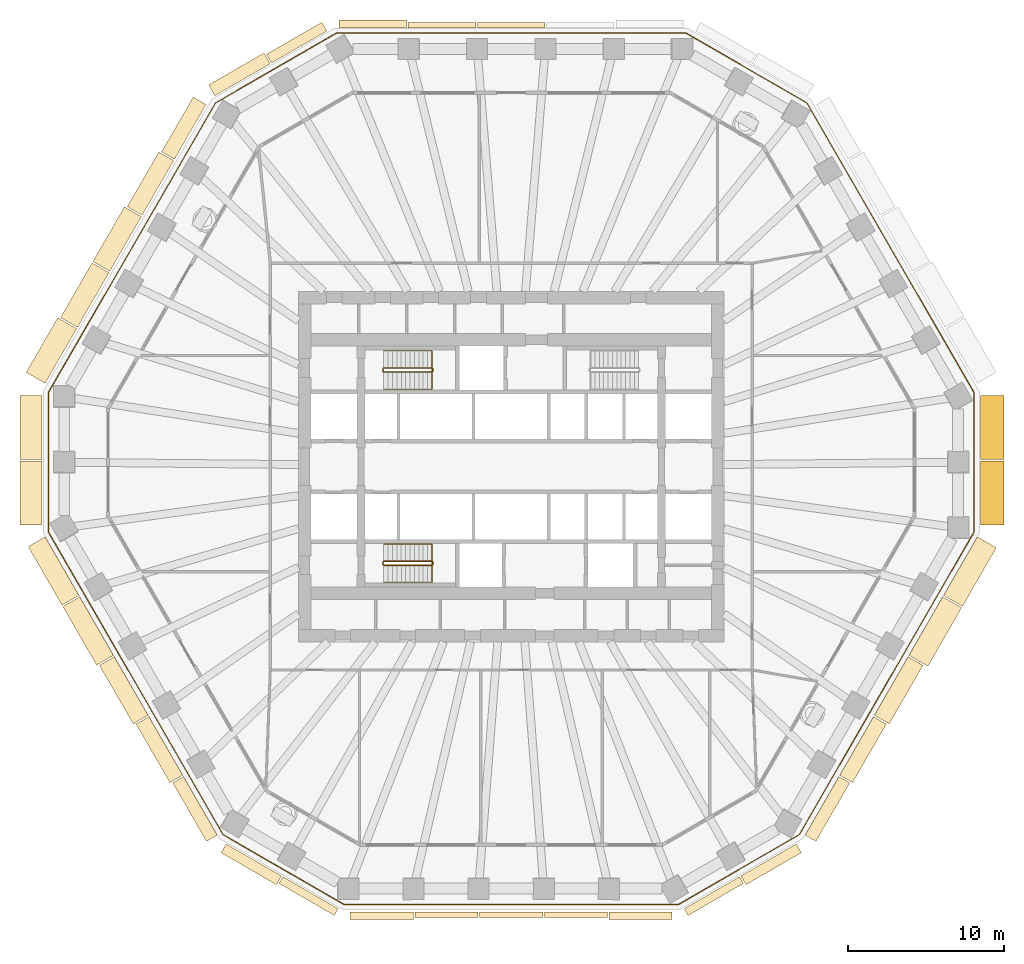
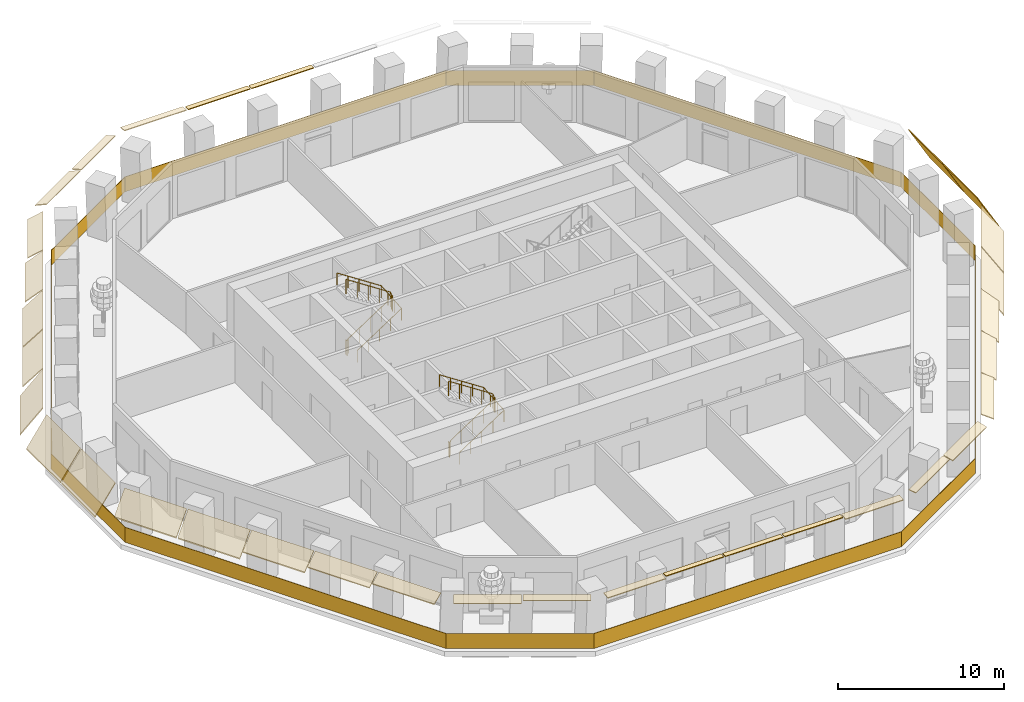
# One storey, part 9 of 12: 33 coverings, 5 railings.
"""IFC4 building model written with IfcOpenShell, lengths in metres."""

from ifc_helpers import new_model, si_unit, direction, frame, origin, origin_2d, place, context, subcontext, project, spatial, polyline, rectangle, circle, outline, extrude, material, layer, layer_set, type_object, element, save


model = new_model("IFC4")

# Units and contexts
model_context = context("Model", 3, precision=1e-05, world=origin(), true_north=direction((0.0, 1.0)))
body_context = subcontext(model_context, "Body", "Model", "MODEL_VIEW")
ifc_project = project(units=[si_unit("LENGTHUNIT", "METRE"), si_unit("AREAUNIT", "SQUARE_METRE"), si_unit("VOLUMEUNIT", "CUBIC_METRE"), si_unit("PLANEANGLEUNIT", "RADIAN"), si_unit("MASSUNIT", "GRAM", prefix="KILO")], contexts=[model_context])

# Site, building, storey
site_placement = place(None, origin())
site = spatial("IfcSite", under=ifc_project, at=site_placement, CompositionType="ELEMENT")
building_placement = place(site_placement, origin())
building = spatial("IfcBuilding", under=site, at=building_placement, Name="Frailejon Research Tower", CompositionType="ELEMENT")
storey_placement = place(building_placement, frame((0.0, 0.0, 89.60009765625)))
storey = spatial("IfcBuildingStorey", under=building, at=storey_placement, Name="L19", CompositionType="ELEMENT", Elevation=89.60009765625)

# Coverings
ifc_material_1 = material(Name="Precast concrete C50/60", Category="concrete")
ifc_layer_1 = layer(ifc_material_1, 0.06005859375)
ifc_layer_set_1 = layer_set([ifc_layer_1], Name="Brim blade depth 1100")
covering_type_1 = type_object("IfcCoveringType", Name="Brim blade depth 1100", PredefinedType="CLADDING", material=ifc_layer_set_1)
covering_1_placement = place(storey_placement, frame((-23.59228515625, 16.066650390625, 4.25), z_axis=(0.500005682111, 0.866022123192, 0.0), x_axis=(-0.866022123192, 0.500005682111, 0.0)))
element("IfcCovering", 1, at=covering_1_placement, inside=storey, type_object=covering_type_1, Name="Brim blade L19", PredefinedType="CLADDING", context=body_context, shape_type="SweptSolid", body=[
    extrude(outline(polyline([(0.0, -0.078369140625), (1.10009765625, -1.001220703125), (1.10009765625, -0.923095703125), (0.0, 0.0), (0.0, -0.078369140625)])), origin(), (0.0, 0.0, 1.0), 4.0361328125),
])
for number, where, z_axis, x_axis, name in (
    (2, (-23.211181640625, -15.897216796875, 4.25), (-0.499995103022, 0.866028231038, 0.0), (-0.866028231038, -0.499995103022, 0.0), "Brim blade L19"),
    (3, (25.372802734375, -12.15283203125, 4.25), (-0.499995103022, -0.866028231038, 0.0), (0.866028231038, -0.499995103022, 0.0), "Brim blade L19"),
):
    element("IfcCovering", number, at=place(storey_placement, frame(where, z_axis=z_axis, x_axis=x_axis)), inside=storey, type_object=covering_type_1, Name=name, PredefinedType="CLADDING", context=body_context, shape_type="SweptSolid", body=[
        extrude(outline(polyline([(0.0, -0.078369140625), (1.10009765625, -1.001220703125), (1.10009765625, -0.923095703125), (0.0, 0.0), (0.0, -0.078369140625)])), origin(), (0.0, 0.0, 1.0), 4.323486328125),
    ])
ifc_material_2 = material(Name="Precast concrete C50/60", Category="concrete")
ifc_layer_2 = layer(ifc_material_2, 0.06005859375)
ifc_layer_set_2 = layer_set([ifc_layer_2], Name="Brim blade depth 1250")
covering_type_2 = type_object("IfcCoveringType", Name="Brim blade depth 1250", PredefinedType="CLADDING", material=ifc_layer_set_2)
for number, where, z_axis, x_axis, name in (
    (4, (-25.660400390625, 12.484619140625, 4.25), (0.500005682111, 0.866022123192, 0.0), (-0.866022123192, 0.500005682111, 0.0), "Brim blade L19"),
    (5, (-27.728271484375, 8.902587890625, 4.25), (0.49998754911, 0.86603259219, 0.0), (-0.86603259219, 0.49998754911, 0.0), "Brim blade L19"),
):
    element("IfcCovering", number, at=place(storey_placement, frame(where, z_axis=z_axis, x_axis=x_axis)), inside=storey, type_object=covering_type_2, Name=name, PredefinedType="CLADDING", context=body_context, shape_type="SweptSolid", body=[
        extrude(outline(polyline([(0.0, -0.0888671875), (1.25, -1.452880859375), (1.25, -1.364013671875), (0.0, 0.0), (0.0, -0.0888671875)])), origin(), (0.0, 0.0, 1.0), 4.0361328125),
    ])
for number, where, z_axis, x_axis, name in (
    (6, (-27.634521484375, -8.2353515625, 4.25), (-0.50000489216, 0.866022579276, 0.0), (-0.866022579276, -0.50000489216, 0.0), "Brim blade L19"),
    (7, (-25.4228515625, -12.066162109375, 4.25), (-0.499987937108, 0.866032368187, 0.0), (-0.866032368187, -0.499987937108, 0.0), "Brim blade L19"),
):
    element("IfcCovering", number, at=place(storey_placement, frame(where, z_axis=z_axis, x_axis=x_axis)), inside=storey, type_object=covering_type_2, Name=name, PredefinedType="CLADDING", context=body_context, shape_type="SweptSolid", body=[
        extrude(outline(polyline([(0.0, -0.0888671875), (1.25, -1.452880859375), (1.25, -1.364013671875), (0.0, 0.0), (0.0, -0.0888671875)])), origin(), (0.0, 0.0, 1.0), 4.323486328125),
    ])
ifc_material_3 = material(Name="Precast concrete C50/60", Category="concrete")
ifc_layer_3 = layer(ifc_material_3, 0.06005859375)
ifc_layer_set_3 = layer_set([ifc_layer_3], Name="Brim blade depth 1400")
covering_type_3 = type_object("IfcCoveringType", Name="Brim blade depth 1400", PredefinedType="CLADDING", material=ifc_layer_set_3)
covering_2_placement = place(storey_placement, frame((-29.79638671875, 5.32080078125, 4.25), z_axis=(0.500005682111, 0.866022123192, 0.0), x_axis=(-0.866022123192, 0.500005682111, 0.0)))
element("IfcCovering", 8, at=covering_2_placement, inside=storey, type_object=covering_type_3, Name="Brim blade L19", PredefinedType="CLADDING", context=body_context, shape_type="SweptSolid", body=[
    extrude(outline(polyline([(0.0, -0.1044921875), (1.39990234375, -2.10400390625), (1.39990234375, -1.99951171875), (0.0, 0.0), (0.0, -0.1044921875)])), origin(), (0.0, 0.0, 1.0), 4.0361328125),
])
covering_3_placement = place(storey_placement, frame((-30.002197265625, 0.46484375, 4.25), z_axis=(0.0, 1.0, 0.0), x_axis=(-1.0, 0.0, 0.0)))
element("IfcCovering", 9, at=covering_3_placement, inside=storey, type_object=covering_type_3, Name="Brim blade L19", PredefinedType="CLADDING", context=body_context, shape_type="SweptSolid", body=[
    extrude(outline(polyline([(0.0, -0.1044921875), (1.39990234375, -2.10400390625), (1.39990234375, -1.99951171875), (0.0, 0.0), (0.0, -0.1044921875)])), origin(), (0.0, 0.0, 1.0), 4.087646484375),
])
covering_4_placement = place(storey_placement, frame((-30.002197265625, -3.72265625, 4.25), z_axis=(0.0, 1.0, 0.0), x_axis=(-1.0, 0.0, 0.0)))
element("IfcCovering", 10, at=covering_4_placement, inside=storey, type_object=covering_type_3, Name="Brim blade L19", PredefinedType="CLADDING", context=body_context, shape_type="SweptSolid", body=[
    extrude(outline(polyline([(0.0, -0.1044921875), (1.39990234375, -2.10400390625), (1.39990234375, -1.99951171875), (0.0, 0.0), (0.0, -0.1044921875)])), origin(), (0.0, 0.0, 1.0), 4.08740234375),
])
for number, where, z_axis, x_axis, name in (
    (11, (27.584716796875, -8.322021484375, 4.25), (-0.499987937108, -0.866032368187, 0.0), (0.866032368187, -0.499987937108, 0.0), "Brim blade L19"),
    (12, (29.79638671875, -4.490966796875, 4.25), (-0.50000489216, -0.866022579276, 0.0), (0.866022579276, -0.50000489216, 0.0), "Brim blade L19"),
):
    element("IfcCovering", number, at=place(storey_placement, frame(where, z_axis=z_axis, x_axis=x_axis)), inside=storey, type_object=covering_type_3, Name=name, PredefinedType="CLADDING", context=body_context, shape_type="SweptSolid", body=[
        extrude(outline(polyline([(0.0, -0.1044921875), (1.39990234375, -2.10400390625), (1.39990234375, -1.99951171875), (0.0, 0.0), (0.0, -0.1044921875)])), origin(), (0.0, 0.0, 1.0), 4.323486328125),
    ])
ifc_material_4 = material(Name="Precast concrete C50/60", Category="concrete")
ifc_layer_4 = layer(ifc_material_4, 0.06005859375)
ifc_layer_set_4 = layer_set([ifc_layer_4], Name="Brim blade depth 1500")
covering_type_4 = type_object("IfcCoveringType", Name="Brim blade depth 1500", PredefinedType="CLADDING", material=ifc_layer_set_4)
covering_5_placement = place(storey_placement, frame((30.002197265625, 0.36474609375, 4.25), z_axis=(0.0, -1.0, 0.0), x_axis=(1.0, 0.0, 0.0)))
element("IfcCovering", 13, at=covering_5_placement, inside=storey, type_object=covering_type_4, Name="Brim blade L19", PredefinedType="CLADDING", context=body_context, shape_type="SweptSolid", body=[
    extrude(outline(polyline([(0.0, -0.1201171875), (1.5, -2.718017578125), (1.5, -2.59814453125), (0.0, 0.0), (0.0, -0.1201171875)])), origin(), (0.0, 0.0, 1.0), 4.08740234375),
])
covering_6_placement = place(storey_placement, frame((30.002197265625, 4.552490234375, 4.25), z_axis=(0.0, -1.0, 0.0), x_axis=(1.0, 0.0, 0.0)))
element("IfcCovering", 14, at=covering_6_placement, inside=storey, type_object=covering_type_4, Name="Brim blade L19", PredefinedType="CLADDING", context=body_context, shape_type="SweptSolid", body=[
    extrude(outline(polyline([(0.0, -0.1201171875), (1.5, -2.718017578125), (1.5, -2.59814453125), (0.0, 0.0), (0.0, -0.1201171875)])), origin(), (0.0, 0.0, 1.0), 4.087646484375),
])
ifc_material_5 = material(Name="Precast concrete C50/60", Category="concrete")
ifc_layer_5 = layer(ifc_material_5, 0.06005859375)
ifc_layer_set_5 = layer_set([ifc_layer_5], Name="Brim blade depth 350")
covering_type_5 = type_object("IfcCoveringType", Name="Brim blade depth 350", PredefinedType="CLADDING", material=ifc_layer_set_5)
for number, where, z_axis, x_axis, name in (
    (15, (-2.161865234375, 28.050048828125, 4.25), (1.0, 0.0, 0.0), (0.0, 1.0, 0.0), "Brim blade L19"),
    (16, (-6.585205078125, 28.050048828125, 4.25), (1.0, 0.0, 0.0), (0.0, 1.0, 0.0), "Brim blade L19"),
):
    element("IfcCovering", number, at=place(storey_placement, frame(where, z_axis=z_axis, x_axis=x_axis)), inside=storey, type_object=covering_type_5, Name=name, PredefinedType="CLADDING", context=body_context, shape_type="SweptSolid", body=[
        extrude(outline(polyline([(0.0, -0.06005859375), (0.35009765625, -0.06005859375), (0.35009765625, 0.0), (0.0, 0.0), (0.0, -0.06005859375)])), origin(), (0.0, 0.0, 1.0), 4.323486328125),
    ])
for number, where, z_axis, x_axis, name in (
    (17, (-2.1181640625, -28.46484375, 4.25), (-1.0, 0.0, 0.0), (0.0, -1.0, 0.0), "Brim blade L19"),
    (18, (2.01806640625, -28.46484375, 4.25), (-1.0, 0.0, 0.0), (0.0, -1.0, 0.0), "Brim blade L19"),
    (19, (6.154296875, -28.46484375, 4.25), (-1.0, 0.0, 0.0), (0.0, -1.0, 0.0), "Brim blade L19"),
):
    element("IfcCovering", number, at=place(storey_placement, frame(where, z_axis=z_axis, x_axis=x_axis)), inside=storey, type_object=covering_type_5, Name=name, PredefinedType="CLADDING", context=body_context, shape_type="SweptSolid", body=[
        extrude(outline(polyline([(0.0, -0.06005859375), (0.35009765625, -0.06005859375), (0.35009765625, 0.0), (0.0, 0.0), (0.0, -0.06005859375)])), origin(), (0.0, 0.0, 1.0), 4.0361328125),
    ])
ifc_material_6 = material(Name="Precast concrete C50/60", Category="concrete")
ifc_layer_6 = layer(ifc_material_6, 0.06005859375)
ifc_layer_set_6 = layer_set([ifc_layer_6], Name="Brim blade depth 500")
covering_type_6 = type_object("IfcCoveringType", Name="Brim blade depth 500", PredefinedType="CLADDING", material=ifc_layer_set_6)
covering_7_placement = place(storey_placement, frame((-11.0087890625, 28.050048828125, 4.25), z_axis=(1.0, 0.0, 0.0), x_axis=(0.0, 1.0, 0.0)))
element("IfcCovering", 20, at=covering_7_placement, inside=storey, type_object=covering_type_6, Name="Brim blade L19", PredefinedType="CLADDING", context=body_context, shape_type="SweptSolid", body=[
    extrude(outline(polyline([(0.0, -0.060546875), (0.5, -0.130859375), (0.5, -0.0703125), (0.0, 0.0), (0.0, -0.060546875)])), origin(), (0.0, 0.0, 1.0), 4.323486328125),
])
covering_8_placement = place(storey_placement, frame((-11.05859375, -28.2587890625, 4.25), z_axis=(-0.866021344981, 0.500007029989, 0.0), x_axis=(-0.500007029989, -0.866021344981, 0.0)))
element("IfcCovering", 21, at=covering_8_placement, inside=storey, type_object=covering_type_6, Name="Brim blade L19", PredefinedType="CLADDING", context=body_context, shape_type="SweptSolid", body=[
    extrude(outline(polyline([(0.0, -0.060546875), (0.5, -0.130859375), (0.5, -0.0703125), (0.0, 0.0), (0.0, -0.060546875)])), origin(), (0.0, 0.0, 1.0), 4.08740234375),
])
for number, where, z_axis, x_axis, name in (
    (22, (-6.254150390625, -28.46484375, 4.25), (-1.0, 0.0, 0.0), (0.0, -1.0, 0.0), "Brim blade L19"),
    (23, (10.290283203125, -28.46484375, 4.25), (-1.0, 0.0, 0.0), (0.0, -1.0, 0.0), "Brim blade L19"),
):
    element("IfcCovering", number, at=place(storey_placement, frame(where, z_axis=z_axis, x_axis=x_axis)), inside=storey, type_object=covering_type_6, Name=name, PredefinedType="CLADDING", context=body_context, shape_type="SweptSolid", body=[
        extrude(outline(polyline([(0.0, -0.060546875), (0.5, -0.130859375), (0.5, -0.0703125), (0.0, 0.0), (0.0, -0.060546875)])), origin(), (0.0, 0.0, 1.0), 4.0361328125),
    ])
covering_9_placement = place(storey_placement, frame((14.5986328125, -26.215087890625, 4.25), z_axis=(-0.866021344981, -0.500007029989, 0.0), x_axis=(0.500007029989, -0.866021344981, 0.0)))
element("IfcCovering", 24, at=covering_9_placement, inside=storey, type_object=covering_type_6, Name="Brim blade L19", PredefinedType="CLADDING", context=body_context, shape_type="SweptSolid", body=[
    extrude(outline(polyline([(0.0, -0.060546875), (0.5, -0.130859375), (0.5, -0.0703125), (0.0, 0.0), (0.0, -0.060546875)])), origin(), (0.0, 0.0, 1.0), 4.08740234375),
])
ifc_material_7 = material(Name="Precast concrete C50/60", Category="concrete")
ifc_layer_7 = layer(ifc_material_7, 0.06005859375)
ifc_layer_set_7 = layer_set([ifc_layer_7], Name="Brim blade depth 650")
covering_type_7 = type_object("IfcCoveringType", Name="Brim blade depth 650", PredefinedType="CLADDING", material=ifc_layer_set_7)
for number, where, z_axis, x_axis, name in (
    (25, (-15.317138671875, 25.80029296875, 4.25), (0.866021344981, 0.500007029989, 0.0), (-0.500007029989, 0.866021344981, 0.0), "Brim blade L19"),
    (26, (-14.685302734375, -26.1650390625, 4.25), (-0.866031685881, 0.499989118931, 0.0), (-0.499989118931, -0.866031685881, 0.0), "Brim blade L19"),
    (27, (18.22509765625, -24.121337890625, 4.25), (-0.866031685881, -0.499989118931, 0.0), (0.499989118931, -0.866031685881, 0.0), "Brim blade L19"),
):
    element("IfcCovering", number, at=place(storey_placement, frame(where, z_axis=z_axis, x_axis=x_axis)), inside=storey, type_object=covering_type_7, Name=name, PredefinedType="CLADDING", context=body_context, shape_type="SweptSolid", body=[
        extrude(outline(polyline([(0.0, -0.0625), (0.64990234375, -0.248779296875), (0.64990234375, -0.186279296875), (0.0, 0.0), (0.0, -0.0625)])), origin(), (0.0, 0.0, 1.0), 4.08740234375),
    ])
ifc_material_8 = material(Name="Precast concrete C50/60", Category="concrete")
ifc_layer_8 = layer(ifc_material_8, 0.06005859375)
ifc_layer_set_8 = layer_set([ifc_layer_8], Name="Brim blade depth 800")
covering_type_8 = type_object("IfcCoveringType", Name="Brim blade depth 800", PredefinedType="CLADDING", material=ifc_layer_set_8)
covering_10_placement = place(storey_placement, frame((-18.943603515625, 23.70654296875, 4.25), z_axis=(0.866021344981, 0.500007029989, 0.0), x_axis=(-0.500007029989, 0.866021344981, 0.0)))
element("IfcCovering", 28, at=covering_10_placement, inside=storey, type_object=covering_type_8, Name="Brim blade L19", PredefinedType="CLADDING", context=body_context, shape_type="SweptSolid", body=[
    extrude(outline(polyline([(0.0, -0.065673828125), (0.800048828125, -0.421875), (0.800048828125, -0.356201171875), (0.0, 0.0), (0.0, -0.065673828125)])), origin(), (0.0, 0.0, 1.0), 4.08740234375),
])
for number, where, z_axis, x_axis, name in (
    (29, (-18.78759765625, -23.55908203125, 4.25), (-0.50000489216, 0.866022579276, 0.0), (-0.866022579276, -0.50000489216, 0.0), "Brim blade L19"),
    (30, (20.94921875, -19.814697265625, 4.25), (-0.50000489216, -0.866022579276, 0.0), (0.866022579276, -0.50000489216, 0.0), "Brim blade L19"),
):
    element("IfcCovering", number, at=place(storey_placement, frame(where, z_axis=z_axis, x_axis=x_axis)), inside=storey, type_object=covering_type_8, Name=name, PredefinedType="CLADDING", context=body_context, shape_type="SweptSolid", body=[
        extrude(outline(polyline([(0.0, -0.065673828125), (0.800048828125, -0.421875), (0.800048828125, -0.356201171875), (0.0, 0.0), (0.0, -0.065673828125)])), origin(), (0.0, 0.0, 1.0), 4.323486328125),
    ])
ifc_material_9 = material(Name="Precast concrete C50/60", Category="concrete")
ifc_layer_9 = layer(ifc_material_9, 0.06005859375)
ifc_layer_set_9 = layer_set([ifc_layer_9], Name="Brim blade depth 950")
covering_type_9 = type_object("IfcCoveringType", Name="Brim blade depth 950", PredefinedType="CLADDING", material=ifc_layer_set_9)
covering_11_placement = place(storey_placement, frame((-21.524169921875, 19.648681640625, 4.25), z_axis=(0.500005682111, 0.866022123192, 0.0), x_axis=(-0.866022123192, 0.500005682111, 0.0)))
element("IfcCovering", 31, at=covering_11_placement, inside=storey, type_object=covering_type_9, Name="Brim blade L19", PredefinedType="CLADDING", context=body_context, shape_type="SweptSolid", body=[
    extrude(outline(polyline([(0.0, -0.07080078125), (0.949951171875, -0.664306640625), (0.949951171875, -0.593505859375), (0.0, 0.0), (0.0, -0.07080078125)])), origin(), (0.0, 0.0, 1.0), 4.0361328125),
])
for number, where, z_axis, x_axis, name in (
    (32, (-20.999267578125, -19.72802734375, 4.25), (-0.50000489216, 0.866022579276, 0.0), (-0.866022579276, -0.50000489216, 0.0), "Brim blade L19"),
    (33, (23.1611328125, -15.98388671875, 4.25), (-0.50000489216, -0.866022579276, 0.0), (0.866022579276, -0.50000489216, 0.0), "Brim blade L19"),
):
    element("IfcCovering", number, at=place(storey_placement, frame(where, z_axis=z_axis, x_axis=x_axis)), inside=storey, type_object=covering_type_9, Name=name, PredefinedType="CLADDING", context=body_context, shape_type="SweptSolid", body=[
        extrude(outline(polyline([(0.0, -0.07080078125), (0.949951171875, -0.664306640625), (0.949951171875, -0.593505859375), (0.0, 0.0), (0.0, -0.07080078125)])), origin(), (0.0, 0.0, 1.0), 4.323486328125),
    ])

# Railings
ifc_material_10 = material(Name="Laminated glass balustrade", Category="glass")
railing_type_1 = type_object("IfcRailingType", Name="Glass guard 1100", PredefinedType="GUARDRAIL", material=ifc_material_10)
railing_1_placement = place(storey_placement, frame((29.587158203125, -4.182861328125, 0.0)))
element("IfcRailing", 34, at=railing_1_placement, inside=storey, type_object=railing_type_1, Name="Loggia guard L19", PredefinedType="GUARDRAIL", context=body_context, shape_type="SweptSolid", body=[
    extrude(rectangle(XDim=8.9189453125, YDim=0.030029296875, at=origin_2d()), frame((0.0, 4.45947265625, 0.0), z_axis=(0.0, 0.0, 1.0), x_axis=(0.0, 1.0, 0.0)), (0.0, 0.0, 1.0), 1.10009765625),
    extrude(rectangle(XDim=21.38427734375, YDim=0.030029296875, at=origin_2d()), frame((-5.34619140625, 18.1787109375, 0.0), z_axis=(0.0, 0.0, 1.0), x_axis=(-0.500000816281, 0.866024932504, 0.0)), (0.0, 0.0, 1.0), 1.10009765625),
    extrude(rectangle(XDim=8.918701171875, YDim=0.030029296875, at=origin_2d()), frame((-14.55419921875, 29.66796875, 0.0), z_axis=(0.0, 0.0, 1.0), x_axis=(-0.866032876802, 0.49998705613, 0.0)), (0.0, 0.0, 1.0), 1.10009765625),
    extrude(rectangle(XDim=22.34228515625, YDim=0.030029296875, at=origin_2d()), frame((-29.587158203125, 31.8974609375, 0.0), z_axis=(0.0, 0.0, 1.0), x_axis=(-1.0, 0.0, 0.0)), (0.0, 0.0, 1.0), 1.10009765625),
    extrude(rectangle(XDim=8.918701171875, YDim=0.030029296875, at=origin_2d()), frame((-44.6201171875, 29.66796875, 0.0), z_axis=(0.0, 0.0, 1.0), x_axis=(-0.866032876802, -0.49998705613, 0.0)), (0.0, 0.0, 1.0), 1.10009765625),
    extrude(rectangle(XDim=21.38427734375, YDim=0.030029296875, at=origin_2d()), frame((-53.828125, 18.1787109375, 0.0), z_axis=(0.0, 0.0, 1.0), x_axis=(-0.500000816281, -0.866024932504, 0.0)), (0.0, 0.0, 1.0), 1.10009765625),
    extrude(rectangle(XDim=8.9189453125, YDim=0.030029296875, at=origin_2d()), frame((-59.17431640625, 4.45947265625, 0.0), z_axis=(0.0, 0.0, 1.0), x_axis=(0.0, -1.0, 0.0)), (0.0, 0.0, 1.0), 1.10009765625),
    extrude(rectangle(XDim=22.34228515625, YDim=0.030029296875, at=origin_2d()), frame((-53.5888671875, -9.67431640625, 0.0), z_axis=(0.0, 0.0, 1.0), x_axis=(0.500002123584, -0.866024177729, 0.0)), (0.0, 0.0, 1.0), 1.10009765625),
    extrude(rectangle(XDim=8.918701171875, YDim=0.030029296875, at=origin_2d()), frame((-44.14111328125, -21.57861328125, 0.0), z_axis=(0.0, 0.0, 1.0), x_axis=(0.866021023613, -0.500007586602, 0.0)), (0.0, 0.0, 1.0), 1.10009765625),
    extrude(rectangle(XDim=21.38427734375, YDim=0.030029296875, at=origin_2d()), frame((-29.587158203125, -23.808349609375, 0.0), z_axis=(0.0, 0.0, 1.0), x_axis=(1.0, 0.0, 0.0)), (0.0, 0.0, 1.0), 1.10009765625),
    extrude(rectangle(XDim=8.918701171875, YDim=0.030029296875, at=origin_2d()), frame((-15.033203125, -21.57861328125, 0.0), z_axis=(0.0, 0.0, 1.0), x_axis=(0.866021023613, 0.500007586602, 0.0)), (0.0, 0.0, 1.0), 1.10009765625),
    extrude(rectangle(XDim=22.272216796875, YDim=0.030029296875, at=origin_2d()), frame((-5.60302734375, -9.70458984375, 0.0), z_axis=(0.0, 0.0, 1.0), x_axis=(0.500003633632, 0.866023305896, 0.0)), (0.0, 0.0, 1.0), 1.10009765625),
])
ifc_material_11 = material(Name="Stainless steel", Category="steel")
railing_type_2 = type_object("IfcRailingType", Name="Stair guard 1100", PredefinedType="GUARDRAIL", material=ifc_material_11)
railing_2_placement = place(storey_placement, frame((-8.199951171875, 6.25, 0.0)))
element("IfcRailing", 35, at=railing_2_placement, inside=storey, type_object=railing_type_2, Name="L19 ST1 stair guard 1", PredefinedType="GUARDRAIL", context=body_context, shape_type="SweptSolid", body=[
    extrude(circle(Radius=0.02392578125, at=origin_2d()), frame((0.0, 0.0, 1.076171875), z_axis=(0.0, -1.0, 0.0), x_axis=(1.0, 0.0, 0.0)), (0.0, 0.0, 1.0), 0.14990234375),
    extrude(circle(Radius=0.02392578125, at=origin_2d()), frame((0.0, -0.14990234375, 1.076171875), z_axis=(0.254653276557, -0.254653276557, 0.932900539971), x_axis=(0.707106781187, 0.707106781187, 0.0)), (0.0, 0.0, 1.0), 0.196533203125),
    extrude(circle(Radius=0.02392578125, at=origin_2d()), frame((0.050048828125, -0.199951171875, 1.25927734375), z_axis=(0.836613101238, 0.0, 0.547794230379), x_axis=(0.0, 1.0, 0.0)), (0.0, 0.0, 1.0), 3.681396484375),
    extrude(circle(Radius=0.02392578125, at=origin_2d()), frame((3.1298828125, -0.199951171875, 3.27587890625), z_axis=(0.707106781187, 0.707106781187, 0.0), x_axis=(-0.707106781187, 0.707106781187, 0.0)), (0.0, 0.0, 1.0), 0.07080078125),
    extrude(circle(Radius=0.02392578125, at=origin_2d()), frame((3.179931640625, -0.14990234375, 3.27587890625), z_axis=(0.0, 1.0, 0.0), x_axis=(-1.0, 0.0, 0.0)), (0.0, 0.0, 1.0), 0.14990234375),
    extrude(circle(Radius=0.02392578125, at=origin_2d()), frame((3.179931640625, 0.0, 3.27587890625), z_axis=(-0.254653276557, 0.254653276557, 0.932900539971), x_axis=(-0.707106781187, -0.707106781187, 0.0)), (0.0, 0.0, 1.0), 0.196533203125),
    extrude(circle(Radius=0.02392578125, at=origin_2d()), frame((3.1298828125, 0.050048828125, 3.45947265625), z_axis=(-0.836613101238, 0.0, 0.547794230379), x_axis=(0.0, -1.0, 0.0)), (0.0, 0.0, 1.0), 3.681396484375),
    extrude(circle(Radius=0.02099609375, at=origin_2d()), origin(), (0.0, 0.0, 1.0), 1.052001953125),
    extrude(circle(Radius=0.02099609375, at=origin_2d()), frame((0.0, -0.14990234375, 0.0)), (0.0, 0.0, 1.0), 1.052001953125),
    extrude(circle(Radius=0.02099609375, at=origin_2d()), frame((0.050048828125, -0.199951171875, 0.183349609375)), (0.0, 0.0, 1.0), 1.052001953125),
    extrude(circle(Radius=0.02099609375, at=origin_2d()), frame((0.820068359375, -0.199951171875, 0.6875)), (0.0, 0.0, 1.0), 1.052001953125),
    extrude(circle(Radius=0.02099609375, at=origin_2d()), frame((1.58984375, -0.199951171875, 1.191650390625)), (0.0, 0.0, 1.0), 1.052001953125),
    extrude(circle(Radius=0.02099609375, at=origin_2d()), frame((2.35986328125, -0.199951171875, 1.69580078125)), (0.0, 0.0, 1.0), 1.052001953125),
    extrude(circle(Radius=0.02099609375, at=origin_2d()), frame((3.1298828125, -0.199951171875, 2.199951171875)), (0.0, 0.0, 1.0), 1.052001953125),
    extrude(circle(Radius=0.02099609375, at=origin_2d()), frame((3.179931640625, -0.14990234375, 2.199951171875)), (0.0, 0.0, 1.0), 1.052001953125),
    extrude(circle(Radius=0.02099609375, at=origin_2d()), frame((3.179931640625, 0.0, 2.199951171875)), (0.0, 0.0, 1.0), 1.052001953125),
    extrude(circle(Radius=0.02099609375, at=origin_2d()), frame((3.1298828125, 0.050048828125, 2.38330078125)), (0.0, 0.0, 1.0), 1.052001953125),
    extrude(circle(Radius=0.02099609375, at=origin_2d()), frame((2.35986328125, 0.050048828125, 2.887451171875)), (0.0, 0.0, 1.0), 1.052001953125),
    extrude(circle(Radius=0.02099609375, at=origin_2d()), frame((1.58984375, 0.050048828125, 3.3916015625)), (0.0, 0.0, 1.0), 1.052001953125),
    extrude(circle(Radius=0.02099609375, at=origin_2d()), frame((0.820068359375, 0.050048828125, 3.895751953125)), (0.0, 0.0, 1.0), 1.052001953125),
    extrude(circle(Radius=0.02099609375, at=origin_2d()), frame((0.050048828125, 0.050048828125, 4.39990234375)), (0.0, 0.0, 1.0), 1.052001953125),
])
railing_3_placement = place(storey_placement, frame((-8.199951171875, -6.10009765625, 0.0)))
element("IfcRailing", 36, at=railing_3_placement, inside=storey, type_object=railing_type_2, Name="L19 ST2 stair guard 1", PredefinedType="GUARDRAIL", context=body_context, shape_type="SweptSolid", body=[
    extrude(circle(Radius=0.02392578125, at=origin_2d()), frame((0.0, 0.0, 1.076171875), z_axis=(0.0, -1.0, 0.0), x_axis=(1.0, 0.0, 0.0)), (0.0, 0.0, 1.0), 0.14990234375),
    extrude(circle(Radius=0.02392578125, at=origin_2d()), frame((0.0, -0.14990234375, 1.076171875), z_axis=(0.254653276557, -0.254653276557, 0.932900539971), x_axis=(0.707106781187, 0.707106781187, 0.0)), (0.0, 0.0, 1.0), 0.196533203125),
    extrude(circle(Radius=0.02392578125, at=origin_2d()), frame((0.050048828125, -0.199951171875, 1.25927734375), z_axis=(0.836613101238, 0.0, 0.547794230379), x_axis=(0.0, 1.0, 0.0)), (0.0, 0.0, 1.0), 3.681396484375),
    extrude(circle(Radius=0.02392578125, at=origin_2d()), frame((3.1298828125, -0.199951171875, 3.27587890625), z_axis=(0.707106781187, 0.707106781187, 0.0), x_axis=(-0.707106781187, 0.707106781187, 0.0)), (0.0, 0.0, 1.0), 0.07080078125),
    extrude(circle(Radius=0.02392578125, at=origin_2d()), frame((3.179931640625, -0.14990234375, 3.27587890625), z_axis=(0.0, 1.0, 0.0), x_axis=(-1.0, 0.0, 0.0)), (0.0, 0.0, 1.0), 0.14990234375),
    extrude(circle(Radius=0.02392578125, at=origin_2d()), frame((3.179931640625, 0.0, 3.27587890625), z_axis=(-0.254653276557, 0.254653276557, 0.932900539971), x_axis=(-0.707106781187, -0.707106781187, 0.0)), (0.0, 0.0, 1.0), 0.196533203125),
    extrude(circle(Radius=0.02392578125, at=origin_2d()), frame((3.1298828125, 0.050048828125, 3.45947265625), z_axis=(-0.836613101238, 0.0, 0.547794230379), x_axis=(0.0, -1.0, 0.0)), (0.0, 0.0, 1.0), 3.681396484375),
    extrude(circle(Radius=0.02099609375, at=origin_2d()), origin(), (0.0, 0.0, 1.0), 1.052001953125),
    extrude(circle(Radius=0.02099609375, at=origin_2d()), frame((0.0, -0.14990234375, 0.0)), (0.0, 0.0, 1.0), 1.052001953125),
    extrude(circle(Radius=0.02099609375, at=origin_2d()), frame((0.050048828125, -0.199951171875, 0.183349609375)), (0.0, 0.0, 1.0), 1.052001953125),
    extrude(circle(Radius=0.02099609375, at=origin_2d()), frame((0.820068359375, -0.199951171875, 0.6875)), (0.0, 0.0, 1.0), 1.052001953125),
    extrude(circle(Radius=0.02099609375, at=origin_2d()), frame((1.58984375, -0.199951171875, 1.191650390625)), (0.0, 0.0, 1.0), 1.052001953125),
    extrude(circle(Radius=0.02099609375, at=origin_2d()), frame((2.35986328125, -0.199951171875, 1.69580078125)), (0.0, 0.0, 1.0), 1.052001953125),
    extrude(circle(Radius=0.02099609375, at=origin_2d()), frame((3.1298828125, -0.199951171875, 2.199951171875)), (0.0, 0.0, 1.0), 1.052001953125),
    extrude(circle(Radius=0.02099609375, at=origin_2d()), frame((3.179931640625, -0.14990234375, 2.199951171875)), (0.0, 0.0, 1.0), 1.052001953125),
    extrude(circle(Radius=0.02099609375, at=origin_2d()), frame((3.179931640625, 0.0, 2.199951171875)), (0.0, 0.0, 1.0), 1.052001953125),
    extrude(circle(Radius=0.02099609375, at=origin_2d()), frame((3.1298828125, 0.050048828125, 2.38330078125)), (0.0, 0.0, 1.0), 1.052001953125),
    extrude(circle(Radius=0.02099609375, at=origin_2d()), frame((2.35986328125, 0.050048828125, 2.887451171875)), (0.0, 0.0, 1.0), 1.052001953125),
    extrude(circle(Radius=0.02099609375, at=origin_2d()), frame((1.58984375, 0.050048828125, 3.3916015625)), (0.0, 0.0, 1.0), 1.052001953125),
    extrude(circle(Radius=0.02099609375, at=origin_2d()), frame((0.820068359375, 0.050048828125, 3.895751953125)), (0.0, 0.0, 1.0), 1.052001953125),
    extrude(circle(Radius=0.02099609375, at=origin_2d()), frame((0.050048828125, 0.050048828125, 4.39990234375)), (0.0, 0.0, 1.0), 1.052001953125),
])
ifc_material_12 = material(Name="Stainless steel", Category="steel")
railing_type_3 = type_object("IfcRailingType", Name="Stair handrail 900", PredefinedType="HANDRAIL", material=ifc_material_12)
railing_4_placement = place(storey_placement, frame((-8.14990234375, 4.949951171875, 0.183349609375)))
element("IfcRailing", 37, at=railing_4_placement, inside=storey, type_object=railing_type_3, Name="L19 ST1 stair handrail 1", PredefinedType="HANDRAIL", context=body_context, shape_type="SweptSolid", body=[
    extrude(circle(Radius=0.02392578125, at=origin_2d()), frame((0.0, 0.0, 0.8759765625), z_axis=(0.836613101238, 0.0, 0.547794230379), x_axis=(0.0, 1.0, 0.0)), (0.0, 0.0, 1.0), 3.681396484375),
    extrude(circle(Radius=0.02392578125, at=origin_2d()), frame((3.079833984375, 0.0, 2.892578125), z_axis=(0.0, 0.99721134034, 0.074629368868), x_axis=(-1.0, 0.0, 0.0)), (0.0, 0.0, 1.0), 2.456787109375),
    extrude(circle(Radius=0.02392578125, at=origin_2d()), frame((3.079833984375, 2.449951171875, 3.07568359375), z_axis=(-0.836613101238, 0.0, 0.547794230379), x_axis=(0.0, -1.0, 0.0)), (0.0, 0.0, 1.0), 3.681396484375),
    extrude(circle(Radius=0.02099609375, at=origin_2d()), origin(), (0.0, 0.0, 1.0), 0.851806640625),
    extrude(circle(Radius=0.02099609375, at=origin_2d()), frame((0.77001953125, 0.0, 0.504150390625)), (0.0, 0.0, 1.0), 0.851806640625),
    extrude(circle(Radius=0.02099609375, at=origin_2d()), frame((1.5400390625, 0.0, 1.00830078125)), (0.0, 0.0, 1.0), 0.851806640625),
    extrude(circle(Radius=0.02099609375, at=origin_2d()), frame((2.309814453125, 0.0, 1.512451171875)), (0.0, 0.0, 1.0), 0.851806640625),
    extrude(circle(Radius=0.02099609375, at=origin_2d()), frame((3.079833984375, 0.0, 2.0166015625)), (0.0, 0.0, 1.0), 0.851806640625),
    extrude(circle(Radius=0.02099609375, at=origin_2d()), frame((3.079833984375, 0.816650390625, 2.07763671875)), (0.0, 0.0, 1.0), 0.851806640625),
    extrude(circle(Radius=0.02099609375, at=origin_2d()), frame((3.079833984375, 1.63330078125, 2.138916015625)), (0.0, 0.0, 1.0), 0.851806640625),
    extrude(circle(Radius=0.02099609375, at=origin_2d()), frame((3.079833984375, 2.449951171875, 2.199951171875)), (0.0, 0.0, 1.0), 0.851806640625),
    extrude(circle(Radius=0.02099609375, at=origin_2d()), frame((2.309814453125, 2.449951171875, 2.7041015625)), (0.0, 0.0, 1.0), 0.851806640625),
    extrude(circle(Radius=0.02099609375, at=origin_2d()), frame((1.5400390625, 2.449951171875, 3.208251953125)), (0.0, 0.0, 1.0), 0.851806640625),
    extrude(circle(Radius=0.02099609375, at=origin_2d()), frame((0.77001953125, 2.449951171875, 3.71240234375)), (0.0, 0.0, 1.0), 0.851806640625),
    extrude(circle(Radius=0.02099609375, at=origin_2d()), frame((0.0, 2.449951171875, 4.216552734375)), (0.0, 0.0, 1.0), 0.851806640625),
])
railing_5_placement = place(storey_placement, frame((-8.14990234375, -7.39990234375, 0.183349609375)))
element("IfcRailing", 38, at=railing_5_placement, inside=storey, type_object=railing_type_3, Name="L19 ST2 stair handrail 1", PredefinedType="HANDRAIL", context=body_context, shape_type="SweptSolid", body=[
    extrude(circle(Radius=0.02392578125, at=origin_2d()), frame((0.0, 0.0, 0.8759765625), z_axis=(0.836613101238, 0.0, 0.547794230379), x_axis=(0.0, 1.0, 0.0)), (0.0, 0.0, 1.0), 3.681396484375),
    extrude(circle(Radius=0.02392578125, at=origin_2d()), frame((3.079833984375, 0.0, 2.892578125), z_axis=(0.0, 0.99721134034, 0.074629368868), x_axis=(-1.0, 0.0, 0.0)), (0.0, 0.0, 1.0), 2.456787109375),
    extrude(circle(Radius=0.02392578125, at=origin_2d()), frame((3.079833984375, 2.449951171875, 3.07568359375), z_axis=(-0.836613101238, 0.0, 0.547794230379), x_axis=(0.0, -1.0, 0.0)), (0.0, 0.0, 1.0), 3.681396484375),
    extrude(circle(Radius=0.02099609375, at=origin_2d()), origin(), (0.0, 0.0, 1.0), 0.851806640625),
    extrude(circle(Radius=0.02099609375, at=origin_2d()), frame((0.77001953125, 0.0, 0.504150390625)), (0.0, 0.0, 1.0), 0.851806640625),
    extrude(circle(Radius=0.02099609375, at=origin_2d()), frame((1.5400390625, 0.0, 1.00830078125)), (0.0, 0.0, 1.0), 0.851806640625),
    extrude(circle(Radius=0.02099609375, at=origin_2d()), frame((2.309814453125, 0.0, 1.512451171875)), (0.0, 0.0, 1.0), 0.851806640625),
    extrude(circle(Radius=0.02099609375, at=origin_2d()), frame((3.079833984375, 0.0, 2.0166015625)), (0.0, 0.0, 1.0), 0.851806640625),
    extrude(circle(Radius=0.02099609375, at=origin_2d()), frame((3.079833984375, 0.816650390625, 2.07763671875)), (0.0, 0.0, 1.0), 0.851806640625),
    extrude(circle(Radius=0.02099609375, at=origin_2d()), frame((3.079833984375, 1.63330078125, 2.138916015625)), (0.0, 0.0, 1.0), 0.851806640625),
    extrude(circle(Radius=0.02099609375, at=origin_2d()), frame((3.079833984375, 2.449951171875, 2.199951171875)), (0.0, 0.0, 1.0), 0.851806640625),
    extrude(circle(Radius=0.02099609375, at=origin_2d()), frame((2.309814453125, 2.449951171875, 2.7041015625)), (0.0, 0.0, 1.0), 0.851806640625),
    extrude(circle(Radius=0.02099609375, at=origin_2d()), frame((1.5400390625, 2.449951171875, 3.208251953125)), (0.0, 0.0, 1.0), 0.851806640625),
    extrude(circle(Radius=0.02099609375, at=origin_2d()), frame((0.77001953125, 2.449951171875, 3.71240234375)), (0.0, 0.0, 1.0), 0.851806640625),
    extrude(circle(Radius=0.02099609375, at=origin_2d()), frame((0.0, 2.449951171875, 4.216552734375)), (0.0, 0.0, 1.0), 0.851806640625),
])

save(model, "model.ifc")
